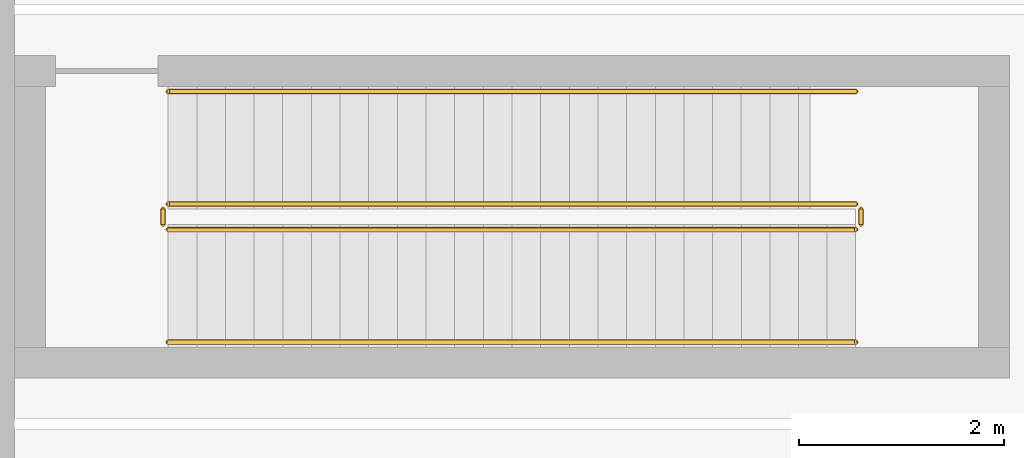
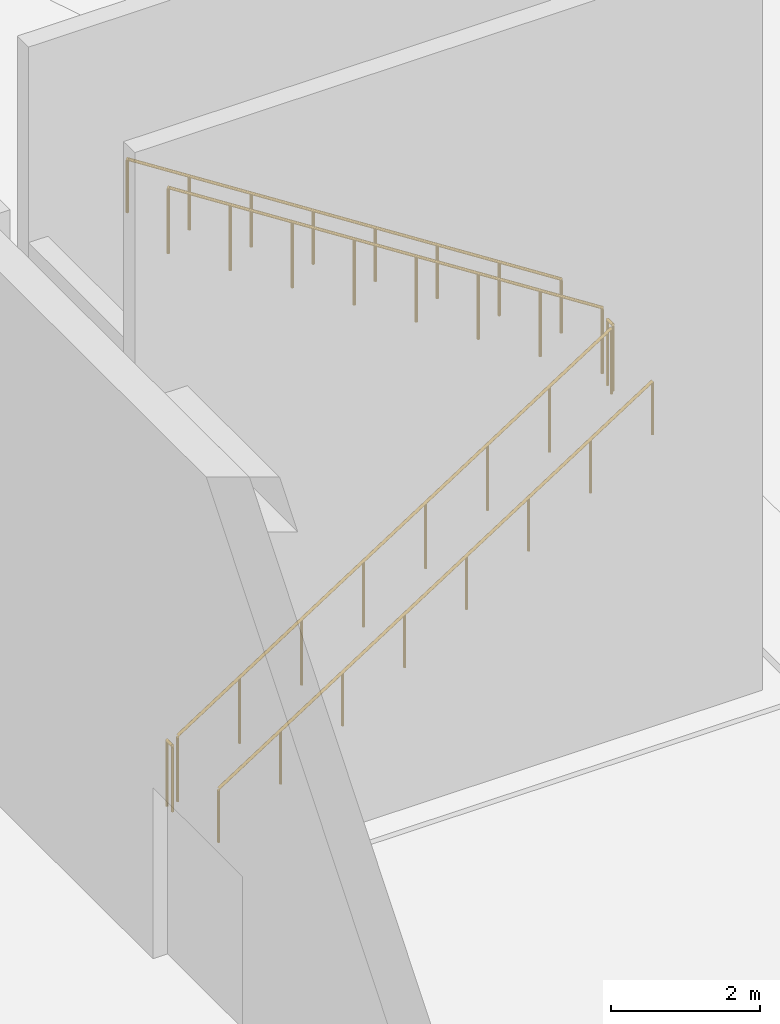
# One storey, part 21 of 29: 6 railings.
"""IFC4 building model written with IfcOpenShell, lengths in metres."""

from ifc_helpers import new_model, si_unit, direction, frame, origin, origin_2d, place, context, subcontext, project, spatial, circle, extrude, material, type_object, element, save


model = new_model("IFC4")

# Units and contexts
model_context = context("Model", 3, precision=1e-05, world=origin(), true_north=direction((0.0, 1.0)))
body_context = subcontext(model_context, "Body", "Model", "MODEL_VIEW")
ifc_project = project(units=[si_unit("LENGTHUNIT", "METRE"), si_unit("AREAUNIT", "SQUARE_METRE"), si_unit("VOLUMEUNIT", "CUBIC_METRE"), si_unit("PLANEANGLEUNIT", "RADIAN"), si_unit("MASSUNIT", "GRAM", prefix="KILO")], contexts=[model_context])

# Site, building, storey
site_placement = place(None, origin())
site = spatial("IfcSite", under=ifc_project, at=site_placement, CompositionType="ELEMENT")
building_placement = place(site_placement, origin())
building = spatial("IfcBuilding", under=site, at=building_placement, Name="Sierra Prisma Convention Tower", CompositionType="ELEMENT")
storey_placement = place(building_placement, origin())
storey = spatial("IfcBuildingStorey", under=building, at=storey_placement, Name="L00", CompositionType="ELEMENT", Elevation=0.0)

# Railings
ifc_material_1 = material(Name="Stainless steel", Category="steel")
railing_type_1 = type_object("IfcRailingType", Name="Exit stair handrail", PredefinedType="HANDRAIL", material=ifc_material_1)
railing_1_placement = place(storey_placement, frame((47.84912109375, -21.824951171875, 0.179931640625)))
element("IfcRailing", 1, at=railing_1_placement, inside=storey, type_object=railing_type_1, Name="L00 EX2 stair handrail 1", PredefinedType="HANDRAIL", context=body_context, shape_type="SweptSolid", body=[
    extrude(circle(Radius=0.02392578125, at=origin_2d()), frame((0.0, 0.0, 0.8759765625), z_axis=(0.841173510664, 0.0, 0.540765314122), x_axis=(0.0, 1.0, 0.0)), (0.0, 0.0, 1.0), 7.98876953125),
    extrude(circle(Radius=0.02099609375, at=origin_2d()), origin(), (0.0, 0.0, 1.0), 0.851806640625),
    extrude(circle(Radius=0.02099609375, at=origin_2d()), frame((0.9599609375, 0.0, 0.6171875)), (0.0, 0.0, 1.0), 0.851806640625),
    extrude(circle(Radius=0.02099609375, at=origin_2d()), frame((1.919921875, 0.0, 1.234375)), (0.0, 0.0, 1.0), 0.851806640625),
    extrude(circle(Radius=0.02099609375, at=origin_2d()), frame((2.8798828125, 0.0, 1.8515625)), (0.0, 0.0, 1.0), 0.851806640625),
    extrude(circle(Radius=0.02099609375, at=origin_2d()), frame((3.840087890625, 0.0, 2.468505859375)), (0.0, 0.0, 1.0), 0.851806640625),
    extrude(circle(Radius=0.02099609375, at=origin_2d()), frame((4.800048828125, 0.0, 3.085693359375)), (0.0, 0.0, 1.0), 0.851806640625),
    extrude(circle(Radius=0.02099609375, at=origin_2d()), frame((5.760009765625, 0.0, 3.702880859375)), (0.0, 0.0, 1.0), 0.851806640625),
    extrude(circle(Radius=0.02099609375, at=origin_2d()), frame((6.719970703125, 0.0, 4.320068359375)), (0.0, 0.0, 1.0), 0.851806640625),
])
railing_2_placement = place(storey_placement, frame((54.569091796875, -19.375, 4.679931640625)))
element("IfcRailing", 2, at=railing_2_placement, inside=storey, type_object=railing_type_1, Name="L00 EX2 stair handrail 2", PredefinedType="HANDRAIL", context=body_context, shape_type="SweptSolid", body=[
    extrude(circle(Radius=0.02392578125, at=origin_2d()), frame((0.0, 0.0, 0.8759765625), z_axis=(-0.841173510664, 0.0, 0.540765314122), x_axis=(0.0, -1.0, 0.0)), (0.0, 0.0, 1.0), 7.98876953125),
    extrude(circle(Radius=0.02099609375, at=origin_2d()), origin(), (0.0, 0.0, 1.0), 0.851806640625),
    extrude(circle(Radius=0.02099609375, at=origin_2d()), frame((-0.9599609375, 0.0, 0.6171875)), (0.0, 0.0, 1.0), 0.851806640625),
    extrude(circle(Radius=0.02099609375, at=origin_2d()), frame((-1.919921875, 0.0, 1.234375)), (0.0, 0.0, 1.0), 0.851806640625),
    extrude(circle(Radius=0.02099609375, at=origin_2d()), frame((-2.8798828125, 0.0, 1.8515625)), (0.0, 0.0, 1.0), 0.851806640625),
    extrude(circle(Radius=0.02099609375, at=origin_2d()), frame((-3.840087890625, 0.0, 2.468505859375)), (0.0, 0.0, 1.0), 0.851806640625),
    extrude(circle(Radius=0.02099609375, at=origin_2d()), frame((-4.800048828125, 0.0, 3.085693359375)), (0.0, 0.0, 1.0), 0.851806640625),
    extrude(circle(Radius=0.02099609375, at=origin_2d()), frame((-5.760009765625, 0.0, 3.702880859375)), (0.0, 0.0, 1.0), 0.851806640625),
    extrude(circle(Radius=0.02099609375, at=origin_2d()), frame((-6.719970703125, 0.0, 4.320068359375)), (0.0, 0.0, 1.0), 0.851806640625),
])
ifc_material_2 = material(Name="Stainless steel", Category="steel")
railing_type_2 = type_object("IfcRailingType", Name="Stair guard 1100", PredefinedType="GUARDRAIL", material=ifc_material_2)
railing_3_placement = place(storey_placement, frame((47.84912109375, -20.72509765625, 0.179931640625)))
element("IfcRailing", 3, at=railing_3_placement, inside=storey, type_object=railing_type_2, Name="L00 EX2 stair guard 1", PredefinedType="GUARDRAIL", context=body_context, shape_type="SweptSolid", body=[
    extrude(circle(Radius=0.02392578125, at=origin_2d()), frame((0.0, 0.0, 1.076171875), z_axis=(0.841173510664, 0.0, 0.540765314122), x_axis=(0.0, 1.0, 0.0)), (0.0, 0.0, 1.0), 7.98876953125),
    extrude(circle(Radius=0.02099609375, at=origin_2d()), origin(), (0.0, 0.0, 1.0), 1.052001953125),
    extrude(circle(Radius=0.02099609375, at=origin_2d()), frame((0.9599609375, 0.0, 0.6171875)), (0.0, 0.0, 1.0), 1.052001953125),
    extrude(circle(Radius=0.02099609375, at=origin_2d()), frame((1.919921875, 0.0, 1.234375)), (0.0, 0.0, 1.0), 1.052001953125),
    extrude(circle(Radius=0.02099609375, at=origin_2d()), frame((2.8798828125, 0.0, 1.8515625)), (0.0, 0.0, 1.0), 1.052001953125),
    extrude(circle(Radius=0.02099609375, at=origin_2d()), frame((3.840087890625, 0.0, 2.468505859375)), (0.0, 0.0, 1.0), 1.052001953125),
    extrude(circle(Radius=0.02099609375, at=origin_2d()), frame((4.800048828125, 0.0, 3.085693359375)), (0.0, 0.0, 1.0), 1.052001953125),
    extrude(circle(Radius=0.02099609375, at=origin_2d()), frame((5.760009765625, 0.0, 3.702880859375)), (0.0, 0.0, 1.0), 1.052001953125),
    extrude(circle(Radius=0.02099609375, at=origin_2d()), frame((6.719970703125, 0.0, 4.320068359375)), (0.0, 0.0, 1.0), 1.052001953125),
])
railing_4_placement = place(storey_placement, frame((54.619140625, -20.675048828125, 4.5)))
element("IfcRailing", 4, at=railing_4_placement, inside=storey, type_object=railing_type_2, Name="L00 EX2 stair guard 2", PredefinedType="GUARDRAIL", context=body_context, shape_type="SweptSolid", body=[
    extrude(circle(Radius=0.02392578125, at=origin_2d()), frame((0.0, 0.0, 1.076171875), z_axis=(0.0, 1.0, 0.0), x_axis=(-1.0, 0.0, 0.0)), (0.0, 0.0, 1.0), 0.150146484375),
    extrude(circle(Radius=0.02099609375, at=origin_2d()), origin(), (0.0, 0.0, 1.0), 1.052001953125),
    extrude(circle(Radius=0.02099609375, at=origin_2d()), frame((0.0, 0.150146484375, 0.0)), (0.0, 0.0, 1.0), 1.052001953125),
])
railing_5_placement = place(storey_placement, frame((54.569091796875, -20.47509765625, 4.679931640625)))
element("IfcRailing", 5, at=railing_5_placement, inside=storey, type_object=railing_type_2, Name="L00 EX2 stair guard 3", PredefinedType="GUARDRAIL", context=body_context, shape_type="SweptSolid", body=[
    extrude(circle(Radius=0.02392578125, at=origin_2d()), frame((0.0, 0.0, 1.076171875), z_axis=(-0.841173510664, 0.0, 0.540765314122), x_axis=(0.0, -1.0, 0.0)), (0.0, 0.0, 1.0), 7.98876953125),
    extrude(circle(Radius=0.02099609375, at=origin_2d()), origin(), (0.0, 0.0, 1.0), 1.052001953125),
    extrude(circle(Radius=0.02099609375, at=origin_2d()), frame((-0.9599609375, 0.0, 0.6171875)), (0.0, 0.0, 1.0), 1.052001953125),
    extrude(circle(Radius=0.02099609375, at=origin_2d()), frame((-1.919921875, 0.0, 1.234375)), (0.0, 0.0, 1.0), 1.052001953125),
    extrude(circle(Radius=0.02099609375, at=origin_2d()), frame((-2.8798828125, 0.0, 1.8515625)), (0.0, 0.0, 1.0), 1.052001953125),
    extrude(circle(Radius=0.02099609375, at=origin_2d()), frame((-3.840087890625, 0.0, 2.468505859375)), (0.0, 0.0, 1.0), 1.052001953125),
    extrude(circle(Radius=0.02099609375, at=origin_2d()), frame((-4.800048828125, 0.0, 3.085693359375)), (0.0, 0.0, 1.0), 1.052001953125),
    extrude(circle(Radius=0.02099609375, at=origin_2d()), frame((-5.760009765625, 0.0, 3.702880859375)), (0.0, 0.0, 1.0), 1.052001953125),
    extrude(circle(Radius=0.02099609375, at=origin_2d()), frame((-6.719970703125, 0.0, 4.320068359375)), (0.0, 0.0, 1.0), 1.052001953125),
])
railing_6_placement = place(storey_placement, frame((47.799072265625, -20.675048828125, 0.0)))
element("IfcRailing", 6, at=railing_6_placement, inside=storey, type_object=railing_type_2, Name="L00 EX2 stair guard 4", PredefinedType="GUARDRAIL", context=body_context, shape_type="SweptSolid", body=[
    extrude(circle(Radius=0.02392578125, at=origin_2d()), frame((0.0, 0.0, 1.076171875), z_axis=(0.0, 1.0, 0.0), x_axis=(-1.0, 0.0, 0.0)), (0.0, 0.0, 1.0), 0.150146484375),
    extrude(circle(Radius=0.02099609375, at=origin_2d()), origin(), (0.0, 0.0, 1.0), 1.052001953125),
    extrude(circle(Radius=0.02099609375, at=origin_2d()), frame((0.0, 0.150146484375, 0.0)), (0.0, 0.0, 1.0), 1.052001953125),
])

save(model, "model.ifc")
